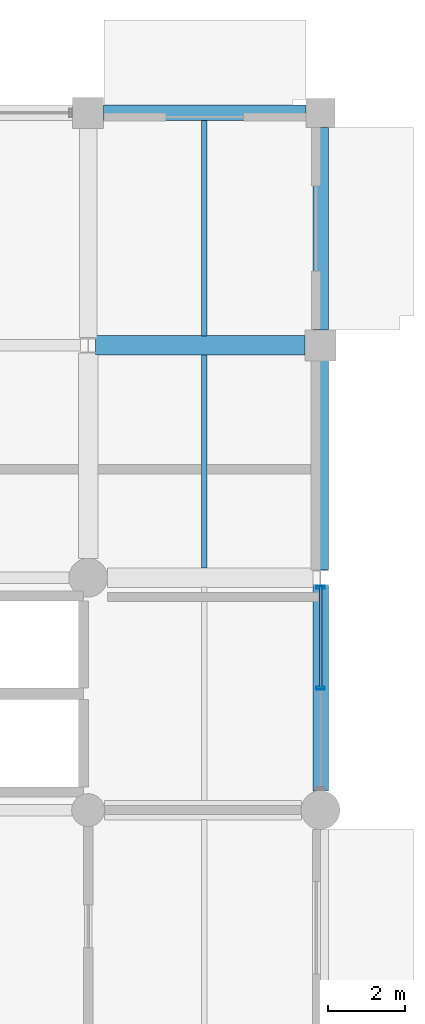
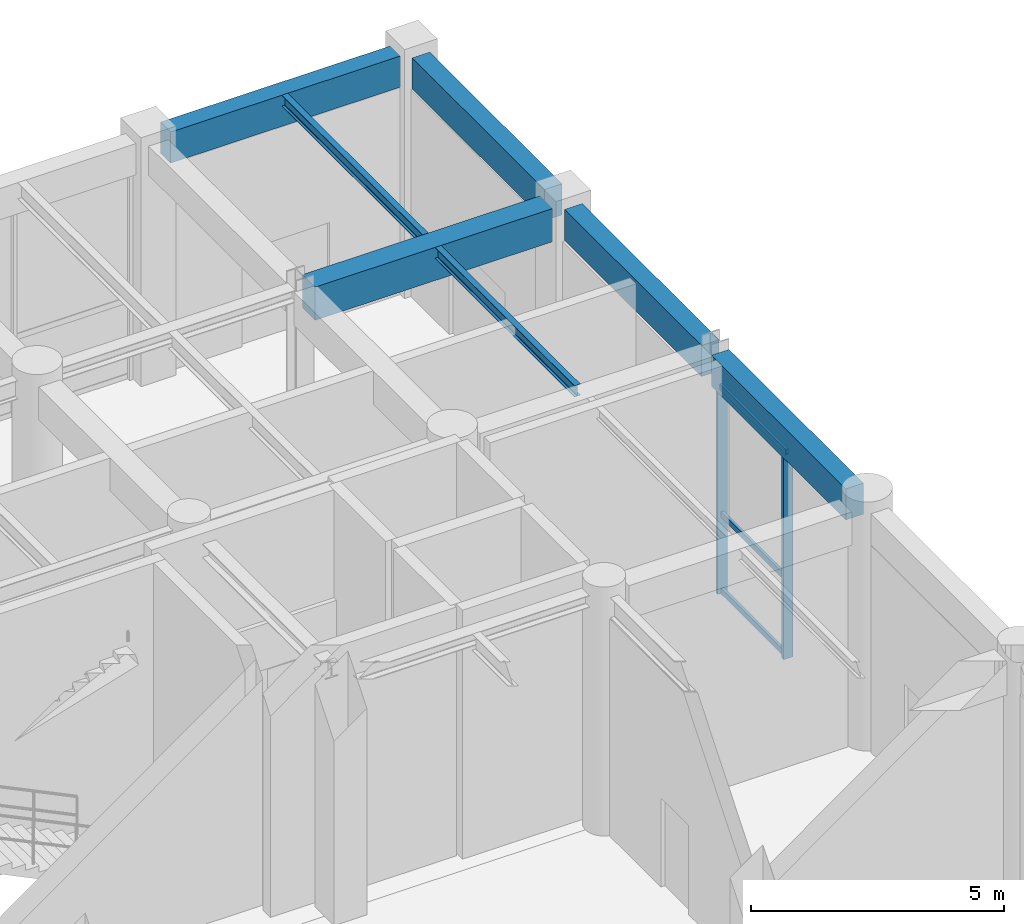
# One storey, part 71 of 106: 7 beams, 5 members, 1 element without a shape of its own.
"""IFC4 building model written with IfcOpenShell, lengths in metres."""

import ifcopenshell
import ifcopenshell.guid

model = None  # the IFC model being written
_history = None  # IfcOwnerHistory: only IFC2X3 demands one
_inside = {}  # id of a spatial element -> (the spatial element, [elements in it])
_under = {}  # id of a project, library or spatial element -> (it, [spatial elements below it])
_declared = {}  # id of a project -> (the project, [libraries it declares])
_typed = {}  # id of a type object -> (the type object, [elements of that type])
_made_of = {}  # id of a material, layer set ... -> (it, [elements and type objects made of it])


def new_model(schema):
    """Start an empty IFC model of exactly this schema.

    Asked for "IFC4X3", IfcOpenShell would pick the latest addendum, in which some entities
    have other attributes; the version numbers below select the first issue.
    IFC2X3 requires an IfcOwnerHistory on every rooted entity: one is made here for all.
    """
    global model, _history
    if schema == "IFC4X3":
        model = ifcopenshell.file(schema_version=(4, 3, 0, 0))
    else:
        model = ifcopenshell.file(schema=schema)
    _inside.clear()
    _under.clear()
    _declared.clear()
    _typed.clear()
    _made_of.clear()
    _history = None
    if model.schema == "IFC2X3":
        org = make("IfcOrganization", Name="unknown")
        user = make(
            "IfcPersonAndOrganization",
            ThePerson=make("IfcPerson", FamilyName="unknown"),
            TheOrganization=org,
        )
        app = make(
            "IfcApplication",
            ApplicationDeveloper=org,
            Version="unknown",
            ApplicationFullName="unknown",
            ApplicationIdentifier="unknown",
        )
        _history = make(
            "IfcOwnerHistory",
            OwningUser=user,
            OwningApplication=app,
            ChangeAction="ADDED",
            CreationDate=0,
        )
    return model


def make(cls, **values):
    """One entity of the class cls with the attributes given. An attribute that is None is left unset."""
    return model.create_entity(
        cls, **{name: value for name, value in values.items() if value is not None}
    )


def rooted(cls, **values):
    """An entity with a GlobalId (a new one), such as an element, a storey or a relation."""
    return make(cls, GlobalId=ifcopenshell.guid.new(), OwnerHistory=_history, **values)


def si_unit(unit_type, name, prefix=None):
    """IfcSIUnit, for example si_unit("LENGTHUNIT", "METRE", prefix="MILLI")."""
    return make("IfcSIUnit", UnitType=unit_type, Prefix=prefix, Name=name)


def assignment(units):
    """IfcUnitAssignment: the units of a project."""
    return None if units is None else make("IfcUnitAssignment", Units=units)


def point(xyz):
    """IfcCartesianPoint."""
    return None if xyz is None else make("IfcCartesianPoint", Coordinates=xyz)


def direction(xyz):
    """IfcDirection."""
    return None if xyz is None else make("IfcDirection", DirectionRatios=xyz)


def frame(location, z_axis=None, x_axis=None):
    """IfcAxis2Placement3D, a coordinate frame: its origin and axes. An axis left out is left unset."""
    return make(
        "IfcAxis2Placement3D",
        Location=point(location),
        Axis=direction(z_axis),
        RefDirection=direction(x_axis),
    )


def frame_2d(location, x_axis=None):
    """IfcAxis2Placement2D, a coordinate frame in the plane: its origin and x axis."""
    return make(
        "IfcAxis2Placement2D", Location=point(location), RefDirection=direction(x_axis)
    )


def origin():
    """The frame at (0, 0, 0) with its axes left unset."""
    return frame((0.0, 0.0, 0.0))


def origin_2d():
    """The frame at (0, 0) in the plane with its x axis left unset."""
    return frame_2d((0.0, 0.0))


def place(relative_to, where):
    """IfcLocalPlacement: puts the frame where relative to a parent placement (None: the world)."""
    return make(
        "IfcLocalPlacement", PlacementRelTo=relative_to, RelativePlacement=where
    )


def context(
    kind, dimensions, precision=None, world=None, true_north=None, identifier=None
):
    """IfcGeometricRepresentationContext, for example the 3D "Model" context."""
    return make(
        "IfcGeometricRepresentationContext",
        ContextIdentifier=identifier,
        ContextType=kind,
        CoordinateSpaceDimension=dimensions,
        Precision=precision,
        WorldCoordinateSystem=world,
        TrueNorth=true_north,
    )


def subcontext(parent, identifier, kind, view, scale=None):
    """IfcGeometricRepresentationSubContext, for example "Body" below "Model"."""
    return make(
        "IfcGeometricRepresentationSubContext",
        ContextIdentifier=identifier,
        ContextType=kind,
        ParentContext=parent,
        TargetScale=scale,
        TargetView=view,
    )


def project(units=None, contexts=None):
    """IfcProject with its units and contexts."""
    return rooted(
        "IfcProject",
        Name="project",
        RepresentationContexts=contexts,
        UnitsInContext=assignment(units),
    )


def spatial(cls, under=None, at=None, **own):
    """A site, building, storey or space (cls), placed at a placement, below another one or the project."""
    s = rooted(cls, ObjectPlacement=at, **own)
    if under is not None:
        _under.setdefault(under.id(), (under, []))[1].append(s)
    return s


def profile(cls, at=None, kind="AREA", **sizes):
    """A parametric profile (cls). Its sizes go by their IFC names, for example OverallWidth=200.0."""
    return make(cls, ProfileType=kind, Position=at, **sizes)


def rectangle(**sizes):
    """IfcRectangleProfileDef."""
    return profile("IfcRectangleProfileDef", **sizes)


def hollow_rectangle(**sizes):
    """IfcRectangleHollowProfileDef."""
    return profile("IfcRectangleHollowProfileDef", **sizes)


def i_section(**sizes):
    """IfcIShapeProfileDef."""
    return profile("IfcIShapeProfileDef", **sizes)


def extrude(swept, where, along, depth):
    """IfcExtrudedAreaSolid: the profile swept, set in the frame where, extruded along a direction by depth."""
    return make(
        "IfcExtrudedAreaSolid",
        SweptArea=swept,
        Position=where,
        ExtrudedDirection=direction(along),
        Depth=depth,
    )


def shape(context_of_items, identifier, shape_type, items):
    """IfcShapeRepresentation: the items that make up one representation, for example the "Body"."""
    return make(
        "IfcShapeRepresentation",
        ContextOfItems=context_of_items,
        RepresentationIdentifier=identifier,
        RepresentationType=shape_type,
        Items=items,
    )


def material(Name=None, Category=None):
    """IfcMaterial."""
    return make("IfcMaterial", Name=Name, Category=Category)


def material_profile(
    of_material, cross_section, Name=None, Category=None, Priority=None
):
    """IfcMaterialProfile: a cross section and its material."""
    return make(
        "IfcMaterialProfile",
        Name=Name,
        Material=of_material,
        Profile=cross_section,
        Priority=Priority,
        Category=Category,
    )


def profile_set(profiles, Name=None, composite=None):
    """IfcMaterialProfileSet."""
    return make(
        "IfcMaterialProfileSet",
        Name=Name,
        MaterialProfiles=profiles,
        CompositeProfile=composite,
    )


def made_of(thing, what):
    """Note that an element or type object is made of a material, layer set ...; save() writes the relation."""
    if what is not None:
        _made_of.setdefault(what.id(), (what, []))[1].append(thing)
    return thing


def type_object(cls, material=None, **own):
    """A type object (cls), such as IfcWallType, which elements share."""
    return made_of(rooted(cls, **own), material)


def element(
    cls,
    number,
    at=None,
    inside=None,
    cuts=None,
    type_object=None,
    material=None,
    context=None,
    identifier="Body",
    shape_type=None,
    held_by="IfcProductDefinitionShape",
    body=None,
    shapes=None,
    **own,
):
    """One element of the class cls, such as IfcWall. Its Tag is "e" and its number.

    at: its placement. inside: the storey or other place that contains it. cuts: it is an
    opening in that element (IfcRelVoidsElement). A single representation is given by context,
    identifier, shape_type and body (its items); several are given by shapes. held_by: the class
    of the entity that holds the representations. save() writes the other relations.
    """
    e = rooted(cls, Tag="e%d" % number, ObjectPlacement=at, **own)
    if body is not None:
        shapes = [shape(context, identifier, shape_type, body)]
    if shapes is not None:
        e.Representation = make(held_by, Representations=shapes)
    if inside is not None:
        _inside.setdefault(inside.id(), (inside, []))[1].append(e)
    if cuts is not None:
        rooted(
            "IfcRelVoidsElement", RelatingBuildingElement=cuts, RelatedOpeningElement=e
        )
    if type_object is not None:
        _typed.setdefault(type_object.id(), (type_object, []))[1].append(e)
    return made_of(e, material)


def aggregate(whole, parts):
    """IfcRelAggregates: a whole, such as a stair, and the parts it consists of."""
    return rooted("IfcRelAggregates", RelatingObject=whole, RelatedObjects=parts)


def save(model, path):
    """Write the relations noted so far, then the file.

    IfcRelAggregates (storeys below a building ...), IfcRelContainedInSpatialStructure (elements
    in a storey), IfcRelDefinesByType, IfcRelAssociatesMaterial and IfcRelDeclares: one each for
    every whole, place, type object, material and project.
    """
    for whole, parts in _under.values():
        aggregate(whole, parts)
    for where, things in _inside.values():
        rooted(
            "IfcRelContainedInSpatialStructure",
            RelatedElements=things,
            RelatingStructure=where,
        )
    for kind, things in _typed.values():
        rooted("IfcRelDefinesByType", RelatedObjects=things, RelatingType=kind)
    for what, things in _made_of.values():
        rooted("IfcRelAssociatesMaterial", RelatedObjects=things, RelatingMaterial=what)
    for by, libraries in _declared.values():
        rooted("IfcRelDeclares", RelatingContext=by, RelatedDefinitions=libraries)
    model.write(path)


model = new_model("IFC4")

# Units and contexts
model_context = context("Model", 3, precision=1e-05, world=origin(), true_north=direction((0.0, 1.0)))
body_context = subcontext(model_context, "Body", "Model", "MODEL_VIEW")
ifc_project = project(units=[si_unit("LENGTHUNIT", "METRE"), si_unit("AREAUNIT", "SQUARE_METRE"), si_unit("VOLUMEUNIT", "CUBIC_METRE"), si_unit("PLANEANGLEUNIT", "RADIAN"), si_unit("MASSUNIT", "GRAM", prefix="KILO"), si_unit("THERMODYNAMICTEMPERATUREUNIT", "KELVIN"), si_unit("POWERUNIT", "WATT")], contexts=[model_context])

# Site, building, storey
site_placement = place(None, origin())
site = spatial("IfcSite", under=ifc_project, at=site_placement, CompositionType="ELEMENT")
building_placement = place(site_placement, origin())
building = spatial("IfcBuilding", under=site, at=building_placement, Name="Phaisarnlok Congress Hotel", CompositionType="ELEMENT")
storey_placement = place(building_placement, origin())
storey = spatial("IfcBuildingStorey", under=building, at=storey_placement, Name="L00", CompositionType="ELEMENT", Elevation=0.0)

# Beam
ifc_material_1 = material(Name="Concrete C40/50", Category="concrete")
ifc_material_profile_1 = material_profile(ifc_material_1, rectangle(XDim=0.5, YDim=0.800048828125, at=origin_2d()), Name="RC 500x800")
ifc_profile_set_1 = profile_set([ifc_material_profile_1], Name="Concrete C40/50")
beam_type_1 = type_object("IfcBeamType", Name="BM-RC-500x800", PredefinedType="BEAM", material=ifc_profile_set_1)
beam_1_placement = place(storey_placement, frame((174.195556640625, 120.0, 5.340087890625), z_axis=(1.0, 0.0, 0.0), x_axis=(0.0, 1.0, 0.0)))
element("IfcBeam", 1, at=beam_1_placement, inside=storey, type_object=beam_type_1, Name="Beam B-04", PredefinedType="BEAM", context=body_context, shape_type="SweptSolid", body=[
    extrude(rectangle(XDim=0.5, YDim=0.800048828125, at=origin_2d()), origin(), (0.0, 0.0, 1.0), 5.409423828125),
])

# Curtain wall, members
ifc_material_2 = material(Name="Thermally Broken Unitised Aluminium & Low-E Glazing", Category="aluminium")
curtain_wall_type = type_object("IfcCurtainWallType", Name="CW-UNIT-05", PredefinedType="NOTDEFINED", material=ifc_material_2)
curtain_wall_placement = place(storey_placement, origin())
curtain_wall = element("IfcCurtainWall", 2, at=curtain_wall_placement, inside=storey, type_object=curtain_wall_type, Name="Unitised curtain wall CW-05 (L00)", PredefinedType="NOTDEFINED")
ifc_material_3 = material(Name="Anodised Aluminium Alloy 6063-T6", Category="aluminium")
ifc_material_profile_2 = material_profile(ifc_material_3, hollow_rectangle(XDim=0.074951171875, YDim=0.219970703125, WallThickness=0.0048828125, at=origin_2d()), Name="ALU-M 75x220x5")
ifc_profile_set_2 = profile_set([ifc_material_profile_2], Name="Anodised Aluminium Alloy 6063-T6")
member_type_1 = type_object("IfcMemberType", Name="CWM-220", PredefinedType="MULLION", material=ifc_profile_set_2)
member_1_placement = place(storey_placement, frame((180.0, 111.150146484375, 0.0), z_axis=(0.0, 0.0, 1.0), x_axis=(0.0, 1.0, 0.0)))
member_1 = element("IfcMember", 3, at=member_1_placement, type_object=member_type_1, Name="Curtain wall mullion CWM-02", PredefinedType="MULLION", context=body_context, shape_type="SweptSolid", body=[
    extrude(hollow_rectangle(XDim=0.074951171875, YDim=0.219970703125, WallThickness=0.0048828125, at=origin_2d()), origin(), (0.0, 0.0, 1.0), 4.989990234375),
])
member_2_placement = place(storey_placement, frame((180.0, 113.75048828125, 0.0), z_axis=(0.0, 0.0, 1.0), x_axis=(0.0, 1.0, 0.0)))
member_2 = element("IfcMember", 4, at=member_2_placement, type_object=member_type_1, Name="Curtain wall mullion CWM-02", PredefinedType="MULLION", context=body_context, shape_type="SweptSolid", body=[
    extrude(hollow_rectangle(XDim=0.074951171875, YDim=0.219970703125, WallThickness=0.0048828125, at=origin_2d()), origin(), (0.0, 0.0, 1.0), 4.989990234375),
])
ifc_material_profile_3 = material_profile(ifc_material_3, hollow_rectangle(XDim=0.06494140625, YDim=0.139892578125, WallThickness=0.00390625, at=origin_2d()), Name="ALU-T 65x140x4")
ifc_profile_set_3 = profile_set([ifc_material_profile_3], Name="Anodised Aluminium Alloy 6063-T6")
member_type_2 = type_object("IfcMemberType", Name="CWT-150", PredefinedType="USERDEFINED", material=ifc_profile_set_3)
member_3_placement = place(storey_placement, frame((180.0, 111.165283203125, 0.050048828125), z_axis=(0.0, 1.0, 0.0), x_axis=(-1.0, 0.0, 0.0)))
member_3 = element("IfcMember", 5, at=member_3_placement, type_object=member_type_2, Name="Curtain wall transom CWT-01", ObjectType="TRANSOM", PredefinedType="USERDEFINED", context=body_context, shape_type="SweptSolid", body=[
    extrude(hollow_rectangle(XDim=0.06494140625, YDim=0.139892578125, WallThickness=0.00390625, at=origin_2d()), origin(), (0.0, 0.0, 1.0), 2.610107421875),
])
member_4_placement = place(storey_placement, frame((180.0, 111.165283203125, 1.896240234375), z_axis=(0.0, 1.0, 0.0), x_axis=(-1.0, 0.0, 0.0)))
member_4 = element("IfcMember", 6, at=member_4_placement, type_object=member_type_2, Name="Curtain wall transom CWT-01", ObjectType="TRANSOM", PredefinedType="USERDEFINED", context=body_context, shape_type="SweptSolid", body=[
    extrude(hollow_rectangle(XDim=0.06494140625, YDim=0.139892578125, WallThickness=0.00390625, at=origin_2d()), origin(), (0.0, 0.0, 1.0), 2.610107421875),
])
member_5_placement = place(storey_placement, frame((180.0, 111.165283203125, 4.93994140625), z_axis=(0.0, 1.0, 0.0), x_axis=(-1.0, 0.0, 0.0)))
member_5 = element("IfcMember", 7, at=member_5_placement, type_object=member_type_2, Name="Curtain wall transom CWT-01", ObjectType="TRANSOM", PredefinedType="USERDEFINED", context=body_context, shape_type="SweptSolid", body=[
    extrude(hollow_rectangle(XDim=0.06494140625, YDim=0.139892578125, WallThickness=0.00390625, at=origin_2d()), origin(), (0.0, 0.0, 1.0), 2.610107421875),
])
aggregate(curtain_wall, [member_1, member_2, member_3, member_4, member_5])

# Beams
ifc_material_4 = material(Name="Steel S355", Category="steel")
ifc_material_profile_4 = material_profile(ifc_material_4, i_section(OverallWidth=0.135009765625, OverallDepth=0.27001953125, WebThickness=0.006591796875, FlangeThickness=0.01025390625, FilletRadius=0.014892578125, at=origin_2d()), Name="IPE 270")
ifc_profile_set_4 = profile_set([ifc_material_profile_4], Name="Steel S355")
beam_type_2 = type_object("IfcBeamType", Name="JS-STL-IPE270", PredefinedType="JOIST", material=ifc_profile_set_4)
beam_2_placement = place(storey_placement, frame((177.0, 114.2451171875, 5.60498046875), z_axis=(0.0, 1.0, 0.0), x_axis=(-1.0, 0.0, 0.0)))
element("IfcBeam", 8, at=beam_2_placement, inside=storey, type_object=beam_type_2, Name="Secondary floor joist J-02", PredefinedType="JOIST", context=body_context, shape_type="SweptSolid", body=[
    extrude(i_section(OverallWidth=0.135009765625, OverallDepth=0.27001953125, WebThickness=0.006591796875, FlangeThickness=0.01025390625, FilletRadius=0.014892578125, at=origin_2d()), origin(), (0.0, 0.0, 1.0), 5.509765625),
])
beam_3_placement = place(storey_placement, frame((177.0, 120.2451171875, 5.60498046875), z_axis=(0.0, 1.0, 0.0), x_axis=(-1.0, 0.0, 0.0)))
element("IfcBeam", 9, at=beam_3_placement, inside=storey, type_object=beam_type_2, Name="Secondary floor joist J-02", PredefinedType="JOIST", context=body_context, shape_type="SweptSolid", body=[
    extrude(i_section(OverallWidth=0.135009765625, OverallDepth=0.27001953125, WebThickness=0.006591796875, FlangeThickness=0.01025390625, FilletRadius=0.014892578125, at=origin_2d()), origin(), (0.0, 0.0, 1.0), 5.559814453125),
])
ifc_material_profile_5 = material_profile(ifc_material_1, rectangle(XDim=0.39990234375, YDim=0.75, at=origin_2d()), Name="RC 400x750")
ifc_profile_set_5 = profile_set([ifc_material_profile_5], Name="Concrete C40/50")
beam_type_3 = type_object("IfcBeamType", Name="SP-RC-400x750", PredefinedType="SPANDREL", material=ifc_profile_set_5)
beam_4_placement = place(storey_placement, frame((174.39501953125, 126.0, 5.364990234375), z_axis=(1.0, 0.0, 0.0), x_axis=(0.0, 1.0, 0.0)))
element("IfcBeam", 10, at=beam_4_placement, inside=storey, type_object=beam_type_3, Name="Beam SP-02", PredefinedType="SPANDREL", context=body_context, shape_type="SweptSolid", body=[
    extrude(rectangle(XDim=0.39990234375, YDim=0.75, at=origin_2d()), origin(), (0.0, 0.0, 1.0), 5.23486328125),
])
beam_5_placement = place(storey_placement, frame((180.0, 108.4951171875, 5.364990234375), z_axis=(0.0, 1.0, 0.0), x_axis=(-1.0, 0.0, 0.0)))
element("IfcBeam", 11, at=beam_5_placement, inside=storey, type_object=beam_type_3, Name="Beam SP-02", PredefinedType="SPANDREL", context=body_context, shape_type="SweptSolid", body=[
    extrude(rectangle(XDim=0.39990234375, YDim=0.75, at=origin_2d()), origin(), (0.0, 0.0, 1.0), 5.310302734375),
])
beam_6_placement = place(storey_placement, frame((180.0, 114.194580078125, 5.364990234375), z_axis=(0.0, 1.0, 0.0), x_axis=(-1.0, 0.0, 0.0)))
element("IfcBeam", 12, at=beam_6_placement, inside=storey, type_object=beam_type_3, Name="Beam SP-02", PredefinedType="SPANDREL", context=body_context, shape_type="SweptSolid", body=[
    extrude(rectangle(XDim=0.39990234375, YDim=0.75, at=origin_2d()), origin(), (0.0, 0.0, 1.0), 5.410400390625),
])
beam_7_placement = place(storey_placement, frame((180.0, 120.39501953125, 5.364990234375), z_axis=(0.0, 1.0, 0.0), x_axis=(-1.0, 0.0, 0.0)))
element("IfcBeam", 13, at=beam_7_placement, inside=storey, type_object=beam_type_3, Name="Beam SP-02", PredefinedType="SPANDREL", context=body_context, shape_type="SweptSolid", body=[
    extrude(rectangle(XDim=0.39990234375, YDim=0.75, at=origin_2d()), origin(), (0.0, 0.0, 1.0), 5.23486328125),
])

save(model, "model.ifc")
